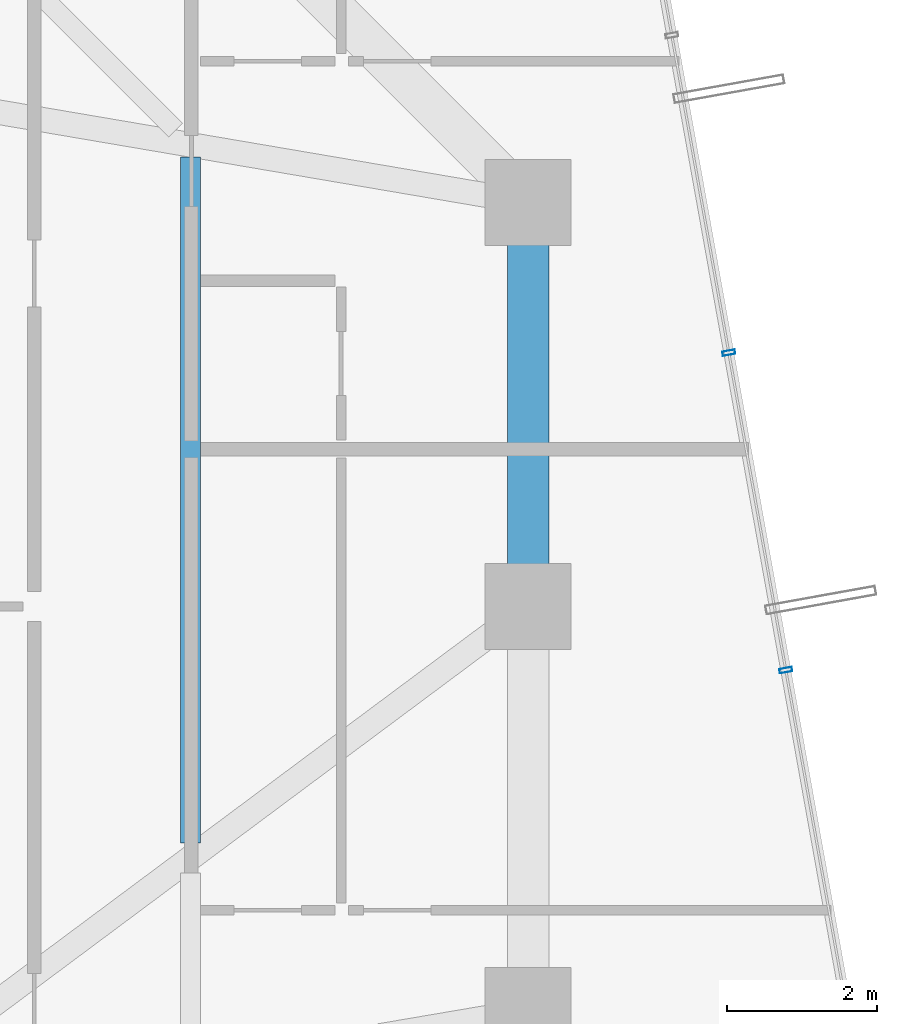
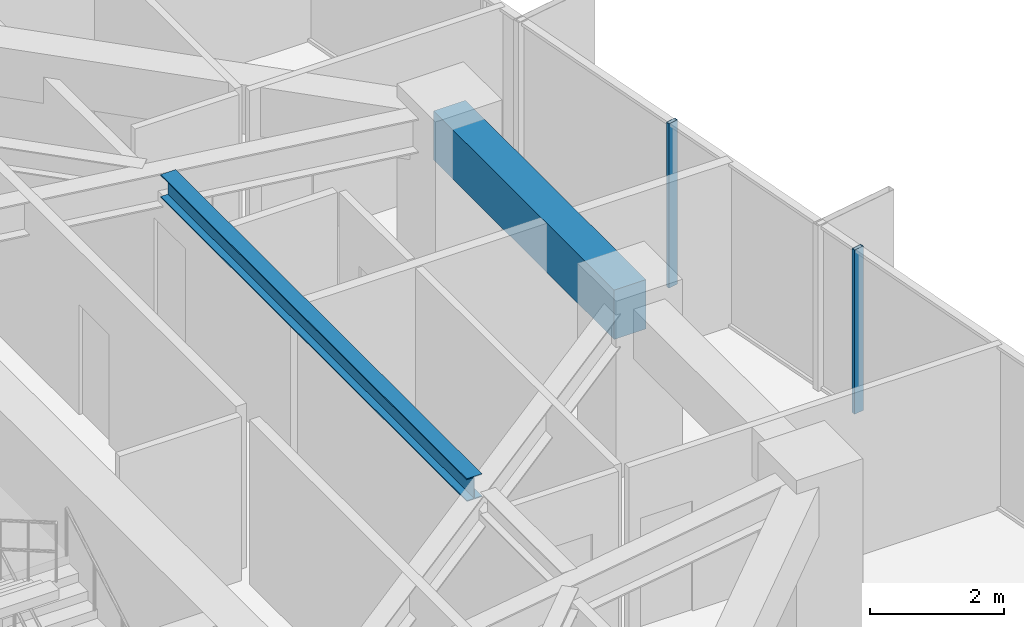
# One storey, part 18 of 36: 2 beams, 2 members, 1 element without a shape of its own.
"""IFC4 building model written with IfcOpenShell, lengths in metres."""

from ifc_helpers import new_model, si_unit, direction, frame, origin, origin_2d, place, context, subcontext, project, spatial, rectangle, hollow_rectangle, i_section, extrude, source, transform, mapped, material, layer, layer_set, material_profile, profile_set, type_object, element, aggregate, save


model = new_model("IFC4")

# Units and contexts
model_context = context("Model", 3, precision=1e-05, world=origin(), true_north=direction((0.0, 1.0)))
body_context = subcontext(model_context, "Body", "Model", "MODEL_VIEW")
ifc_project = project(units=[si_unit("LENGTHUNIT", "METRE"), si_unit("AREAUNIT", "SQUARE_METRE"), si_unit("VOLUMEUNIT", "CUBIC_METRE"), si_unit("PLANEANGLEUNIT", "RADIAN"), si_unit("MASSUNIT", "GRAM", prefix="KILO")], contexts=[model_context])

# Site, building, storey
site_placement = place(None, origin())
site = spatial("IfcSite", under=ifc_project, at=site_placement, CompositionType="ELEMENT")
building_placement = place(site_placement, origin())
building = spatial("IfcBuilding", under=site, at=building_placement, Name="Veraguas Prism Commons", CompositionType="ELEMENT")
storey_placement = place(building_placement, frame((0.0, 0.0, 163.050048828125)))
storey = spatial("IfcBuildingStorey", under=building, at=storey_placement, Name="L46", CompositionType="ELEMENT", Elevation=163.050048828125)

# Beams
ifc_material_1 = material(Name="Steel ASTM A992 Grade 50", Category="steel")
ifc_material_profile_1 = material_profile(ifc_material_1, i_section(OverallWidth=0.260986328125, OverallDepth=0.419921875, WebThickness=0.01171875, FlangeThickness=0.019287109375, at=origin_2d()), Name="W410X114")
ifc_profile_set_1 = profile_set([ifc_material_profile_1], Name="Steel ASTM A992 Grade 50")
beam_type_1 = type_object("IfcBeamType", Name="Lower Floor Joist W410x114", PredefinedType="JOIST", material=ifc_profile_set_1)
beam_1_placement = place(storey_placement, frame((35.68798828125, 20.842041015625, 2.7900390625), z_axis=(0.0, 1.0, 0.0), x_axis=(-1.0, 0.0, 0.0)))
element("IfcBeam", 1, at=beam_1_placement, inside=storey, type_object=beam_type_1, Name="Composite Floor Joist L46-JS02", PredefinedType="JOIST", context=body_context, shape_type="SweptSolid", body=[
    extrude(i_section(OverallWidth=0.260986328125, OverallDepth=0.419921875, WebThickness=0.01171875, FlangeThickness=0.019287109375, at=origin_2d()), origin(), (0.0, 0.0, 1.0), 9.16162109375),
])
ifc_material_2 = material(Name="Concrete C50/60", Category="concrete")
ifc_material_profile_2 = material_profile(ifc_material_2, rectangle(XDim=0.550048828125, YDim=0.89990234375, at=origin_2d()), Name="RC550X900")
ifc_profile_set_2 = profile_set([ifc_material_profile_2], Name="Concrete C50/60")
beam_type_2 = type_object("IfcBeamType", Name="Perimeter Spandrel Lower RC 550x900", PredefinedType="SPANDREL", material=ifc_profile_set_2)
beam_2_placement = place(storey_placement, frame((40.199951171875, 24.0, 2.550048828125), z_axis=(0.0, 1.0, 0.0), x_axis=(-1.0, 0.0, 0.0)))
element("IfcBeam", 2, at=beam_2_placement, inside=storey, type_object=beam_type_2, Name="Perimeter Spandrel Beam L46-SP02", PredefinedType="SPANDREL", context=body_context, shape_type="SweptSolid", body=[
    extrude(rectangle(XDim=0.550048828125, YDim=0.89990234375, at=origin_2d()), origin(), (0.0, 0.0, 1.0), 5.39990234375),
])

# Curtain wall, members
ifc_material_3 = material(Name="Anodised aluminium EN AW-6063 T6", Category="aluminium")
ifc_layer = layer(ifc_material_3, 0.169921875, Name="Unitised Flush Curtain Wall Zone 2", Category="aluminium")
ifc_layer_set = layer_set([ifc_layer], Name="Anodised aluminium EN AW-6063 T6")
curtain_wall_type = type_object("IfcCurtainWallType", Name="Unitised Flush Curtain Wall Zone 2", PredefinedType="NOTDEFINED", material=ifc_layer_set)
curtain_wall_placement = place(storey_placement, origin())
curtain_wall = element("IfcCurtainWall", 3, at=curtain_wall_placement, inside=storey, type_object=curtain_wall_type, Name="Tower Facade Curtain Wall L46-F6", PredefinedType="NOTDEFINED")
ifc_material_profile_3 = material_profile(ifc_material_3, hollow_rectangle(XDim=0.06005859375, YDim=0.169921875, WallThickness=0.00390625, at=origin_2d()), Name="AL60X170X4")
ifc_profile_set_3 = profile_set([ifc_material_profile_3], Name="Anodised aluminium EN AW-6063 T6")
member_type = type_object("IfcMemberType", Name="Curtain Wall Mullion Lower AL 60x170x4", PredefinedType="MULLION", material=ifc_profile_set_3)
shared_shape = source(origin(), body_context, "Body", "SweptSolid", [
    extrude(hollow_rectangle(XDim=0.06005859375, YDim=0.169921875, WallThickness=0.00390625, at=origin_2d()), origin(), (0.0, 0.0, 1.0), 3.0),
])
member_1_placement = place(storey_placement, frame((43.64208984375, 23.149658203125, 0.0), z_axis=(0.0, 0.0, 1.0), x_axis=(-0.176741180461, 0.984257362243, 0.0)))
member_1 = element("IfcMember", 4, at=member_1_placement, type_object=member_type, Name="CW-Z2 Mullion 2", PredefinedType="MULLION", context=body_context, shape_type="MappedRepresentation", body=[
    mapped(shared_shape, transform((0.0, 0.0, 0.0), scale=1.0)),
])
member_2_placement = place(storey_placement, frame((42.880615234375, 27.390380859375, 0.0), z_axis=(0.0, 0.0, 1.0), x_axis=(-0.176741180461, 0.984257362243, 0.0)))
member_2 = element("IfcMember", 5, at=member_2_placement, type_object=member_type, Name="CW-Z2 Mullion 3", PredefinedType="MULLION", context=body_context, shape_type="MappedRepresentation", body=[
    mapped(shared_shape, transform((0.0, 0.0, 0.0), scale=1.0)),
])
aggregate(curtain_wall, [member_1, member_2])

save(model, "model.ifc")
